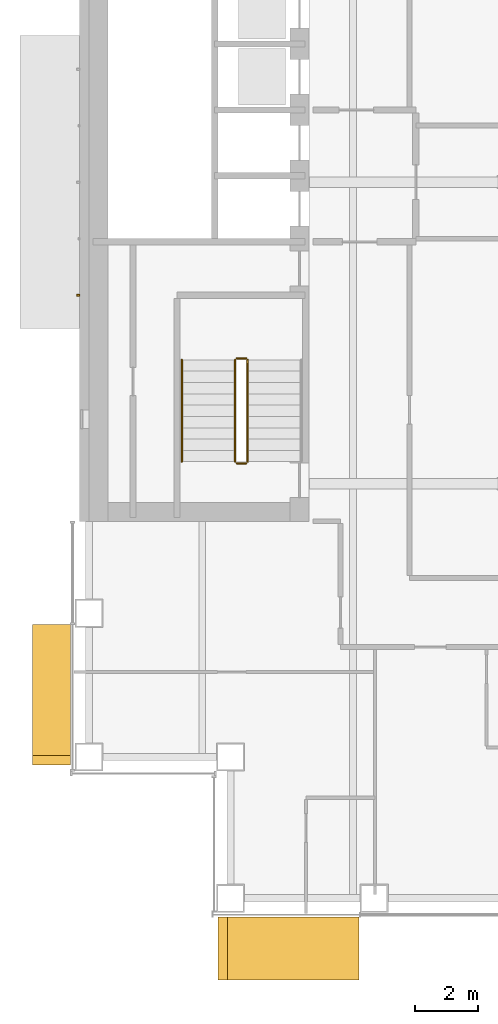
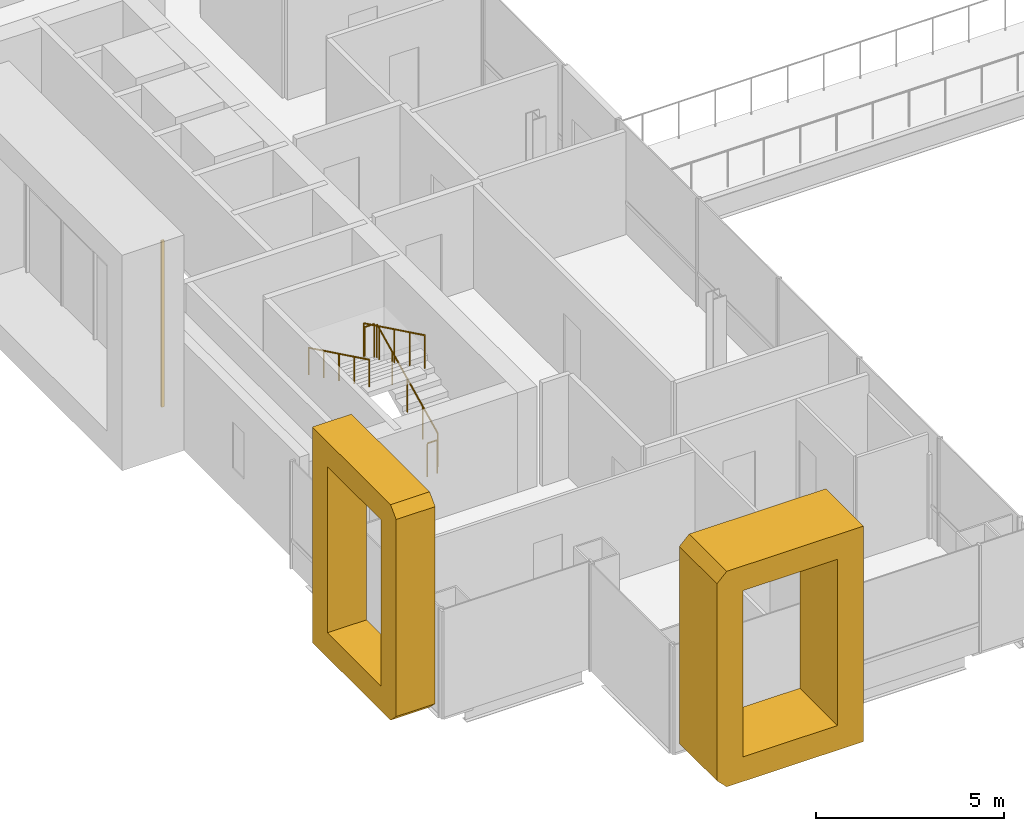
# One storey, part 15 of 20: 5 railings, 3 coverings.
"""IFC4 building model written with IfcOpenShell, lengths in metres."""

from ifc_helpers import new_model, si_unit, direction, frame, origin, origin_2d, place, context, subcontext, project, spatial, polyline, rectangle, circle, outline, extrude, material, type_object, element, save


model = new_model("IFC4")

# Units and contexts
model_context = context("Model", 3, precision=1e-05, world=origin(), true_north=direction((0.0, 1.0)))
body_context = subcontext(model_context, "Body", "Model", "MODEL_VIEW")
ifc_project = project(units=[si_unit("LENGTHUNIT", "METRE"), si_unit("AREAUNIT", "SQUARE_METRE"), si_unit("VOLUMEUNIT", "CUBIC_METRE"), si_unit("PLANEANGLEUNIT", "RADIAN"), si_unit("MASSUNIT", "GRAM", prefix="KILO")], contexts=[model_context])

# Site, building, storey
site_placement = place(None, origin())
site = spatial("IfcSite", under=ifc_project, at=site_placement, CompositionType="ELEMENT")
building_placement = place(site_placement, origin())
building = spatial("IfcBuilding", under=site, at=building_placement, Name="Cobrizo Arcos Hotel Tower", CompositionType="ELEMENT")
storey_placement = place(building_placement, frame((0.0, 0.0, 124.0)))
storey = spatial("IfcBuildingStorey", under=building, at=storey_placement, Name="L31", CompositionType="ELEMENT", Elevation=124.0)

# Coverings
ifc_material_1 = material(Name="Aluminium 6063-T6 anodised bronze", Category="aluminium")
covering_type_1 = type_object("IfcCoveringType", Name="FIN-F 1200", PredefinedType="CLADDING", material=ifc_material_1)
covering_1_placement = place(storey_placement, frame((-23.39990234375, -14.08740234375, 0.0), z_axis=(-1.0, 0.0, 0.0), x_axis=(0.0, -1.0, 0.0)))
element("IfcCovering", 1, at=covering_1_placement, inside=storey, type_object=covering_type_1, Name="Fin frame 168", PredefinedType="CLADDING", context=body_context, shape_type="SweptSolid", body=[
    extrude(outline(polyline([(0.0, 7.0), (0.0, 0.0), (4.16259765625, 0.0), (4.46240234375, 0.300048828125), (4.46240234375, 6.699951171875), (4.16259765625, 7.0), (0.0, 7.0)]), holes=[polyline([(3.66259765625, 0.800048828125), (0.800048828125, 0.800048828125), (0.800048828125, 6.199951171875), (3.66259765625, 6.199951171875), (3.66259765625, 0.800048828125)])]), origin(), (0.0, 0.0, 1.0), 1.2001953125),
])
covering_type_2 = type_object("IfcCoveringType", Name="FIN-F 2000", PredefinedType="CLADDING", material=ifc_material_1)
covering_2_placement = place(storey_placement, frame((-18.699951171875, -23.39990234375, 0.0), z_axis=(0.0, -1.0, 0.0), x_axis=(1.0, 0.0, 0.0)))
element("IfcCovering", 2, at=covering_2_placement, inside=storey, type_object=covering_type_2, Name="Fin frame 145", PredefinedType="CLADDING", context=body_context, shape_type="SweptSolid", body=[
    extrude(outline(polyline([(0.0, 0.300048828125), (0.300048828125, 0.0), (4.5, 0.0), (4.5, 7.0), (0.300048828125, 7.0), (0.0, 6.699951171875), (0.0, 0.300048828125)]), holes=[polyline([(3.699951171875, 0.800048828125), (0.800048828125, 0.800048828125), (0.800048828125, 6.199951171875), (3.699951171875, 6.199951171875), (3.699951171875, 0.800048828125)])]), origin(), (0.0, 0.0, 1.0), 2.0),
])
ifc_material_2 = material(Name="Aluminium 6063-T6 anodised pale", Category="aluminium")
covering_type_3 = type_object("IfcCoveringType", Name="RS-1 rainscreen rib 60x90", PredefinedType="CLADDING", material=ifc_material_2)
covering_3_placement = place(storey_placement, frame((-23.14501953125, -3.60009765625, 0.800048828125), z_axis=(0.0, 0.0, 1.0), x_axis=(0.0, -1.0, 0.0)))
element("IfcCovering", 3, at=covering_3_placement, inside=storey, type_object=covering_type_3, Name="Rainscreen rib 168", PredefinedType="CLADDING", context=body_context, shape_type="SweptSolid", body=[
    extrude(rectangle(XDim=0.06005859375, YDim=0.090087890625, at=origin_2d()), origin(), (0.0, 0.0, 1.0), 5.39990234375),
])

# Railings
ifc_material_3 = material(Name="Stainless steel railing", Category="steel")
railing_type_1 = type_object("IfcRailingType", Name="Stair guard 1100", PredefinedType="GUARDRAIL", material=ifc_material_3)
railing_1_placement = place(storey_placement, frame((-17.75, -8.89990234375, 0.175048828125)))
element("IfcRailing", 4, at=railing_1_placement, inside=storey, type_object=railing_type_1, Name="L31 ST-W stair guard 1", PredefinedType="GUARDRAIL", context=body_context, shape_type="SweptSolid", body=[
    extrude(circle(Radius=0.02392578125, at=origin_2d()), frame((0.0, 0.0, 1.076171875), z_axis=(0.0, 0.899372665325, 0.437182809435), x_axis=(-1.0, 0.0, 0.0)), (0.0, 0.0, 1.0), 3.6025390625),
    extrude(circle(Radius=0.02099609375, at=origin_2d()), origin(), (0.0, 0.0, 1.0), 1.052001953125),
    extrude(circle(Radius=0.02099609375, at=origin_2d()), frame((0.0, 0.81005859375, 0.393798828125)), (0.0, 0.0, 1.0), 1.052001953125),
    extrude(circle(Radius=0.02099609375, at=origin_2d()), frame((0.0, 1.6201171875, 0.78759765625)), (0.0, 0.0, 1.0), 1.052001953125),
    extrude(circle(Radius=0.02099609375, at=origin_2d()), frame((0.0, 2.429931640625, 1.18115234375)), (0.0, 0.0, 1.0), 1.052001953125),
    extrude(circle(Radius=0.02099609375, at=origin_2d()), frame((0.0, 3.239990234375, 1.574951171875)), (0.0, 0.0, 1.0), 1.052001953125),
])
railing_2_placement = place(storey_placement, frame((-17.800048828125, -5.610107421875, 1.75)))
element("IfcRailing", 5, at=railing_2_placement, inside=storey, type_object=railing_type_1, Name="L31 ST-W stair guard 2", PredefinedType="GUARDRAIL", context=body_context, shape_type="SweptSolid", body=[
    extrude(circle(Radius=0.02392578125, at=origin_2d()), frame((0.0, 0.0, 1.076171875), z_axis=(-1.0, 0.0, 0.0), x_axis=(0.0, -1.0, 0.0)), (0.0, 0.0, 1.0), 0.300048828125),
    extrude(circle(Radius=0.02099609375, at=origin_2d()), origin(), (0.0, 0.0, 1.0), 1.052001953125),
    extrude(circle(Radius=0.02099609375, at=origin_2d()), frame((-0.300048828125, 0.0, 0.0)), (0.0, 0.0, 1.0), 1.052001953125),
])
railing_3_placement = place(storey_placement, frame((-18.14990234375, -5.659912109375, 1.925048828125)))
element("IfcRailing", 6, at=railing_3_placement, inside=storey, type_object=railing_type_1, Name="L31 ST-W stair guard 3", PredefinedType="GUARDRAIL", context=body_context, shape_type="SweptSolid", body=[
    extrude(circle(Radius=0.02392578125, at=origin_2d()), frame((0.0, 0.0, 1.076171875), z_axis=(0.0, -0.899372665325, 0.437182809435), x_axis=(1.0, 0.0, 0.0)), (0.0, 0.0, 1.0), 3.6025390625),
    extrude(circle(Radius=0.02099609375, at=origin_2d()), origin(), (0.0, 0.0, 1.0), 1.052001953125),
    extrude(circle(Radius=0.02099609375, at=origin_2d()), frame((0.0, -0.81005859375, 0.393798828125)), (0.0, 0.0, 1.0), 1.052001953125),
    extrude(circle(Radius=0.02099609375, at=origin_2d()), frame((0.0, -1.6201171875, 0.78759765625)), (0.0, 0.0, 1.0), 1.052001953125),
    extrude(circle(Radius=0.02099609375, at=origin_2d()), frame((0.0, -2.429931640625, 1.18115234375)), (0.0, 0.0, 1.0), 1.052001953125),
    extrude(circle(Radius=0.02099609375, at=origin_2d()), frame((0.0, -3.239990234375, 1.574951171875)), (0.0, 0.0, 1.0), 1.052001953125),
])
railing_4_placement = place(storey_placement, frame((-17.800048828125, -8.949951171875, 0.0)))
element("IfcRailing", 7, at=railing_4_placement, inside=storey, type_object=railing_type_1, Name="L31 ST-W stair guard 4", PredefinedType="GUARDRAIL", context=body_context, shape_type="SweptSolid", body=[
    extrude(circle(Radius=0.02392578125, at=origin_2d()), frame((0.0, 0.0, 1.076171875), z_axis=(-1.0, 0.0, 0.0), x_axis=(0.0, -1.0, 0.0)), (0.0, 0.0, 1.0), 0.300048828125),
    extrude(circle(Radius=0.02099609375, at=origin_2d()), origin(), (0.0, 0.0, 1.0), 1.052001953125),
    extrude(circle(Radius=0.02099609375, at=origin_2d()), frame((-0.300048828125, 0.0, 0.0)), (0.0, 0.0, 1.0), 1.052001953125),
])
railing_type_2 = type_object("IfcRailingType", Name="Stair handrail", PredefinedType="HANDRAIL", material=ifc_material_3)
railing_5_placement = place(storey_placement, frame((-19.85009765625, -5.659912109375, 1.925048828125)))
element("IfcRailing", 8, at=railing_5_placement, inside=storey, type_object=railing_type_2, Name="L31 ST-W stair handrail 2", PredefinedType="HANDRAIL", context=body_context, shape_type="SweptSolid", body=[
    extrude(circle(Radius=0.02392578125, at=origin_2d()), frame((0.0, 0.0, 0.8759765625), z_axis=(0.0, -0.899372665325, 0.437182809435), x_axis=(1.0, 0.0, 0.0)), (0.0, 0.0, 1.0), 3.6025390625),
    extrude(circle(Radius=0.02099609375, at=origin_2d()), origin(), (0.0, 0.0, 1.0), 0.851806640625),
    extrude(circle(Radius=0.02099609375, at=origin_2d()), frame((0.0, -0.81005859375, 0.393798828125)), (0.0, 0.0, 1.0), 0.851806640625),
    extrude(circle(Radius=0.02099609375, at=origin_2d()), frame((0.0, -1.6201171875, 0.78759765625)), (0.0, 0.0, 1.0), 0.851806640625),
    extrude(circle(Radius=0.02099609375, at=origin_2d()), frame((0.0, -2.429931640625, 1.18115234375)), (0.0, 0.0, 1.0), 0.851806640625),
    extrude(circle(Radius=0.02099609375, at=origin_2d()), frame((0.0, -3.239990234375, 1.574951171875)), (0.0, 0.0, 1.0), 0.851806640625),
])

save(model, "model.ifc")
